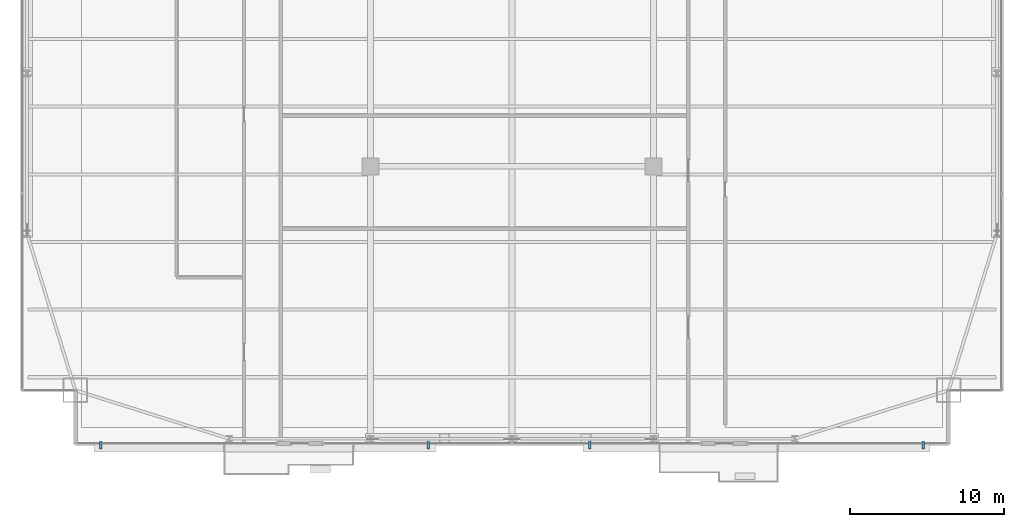
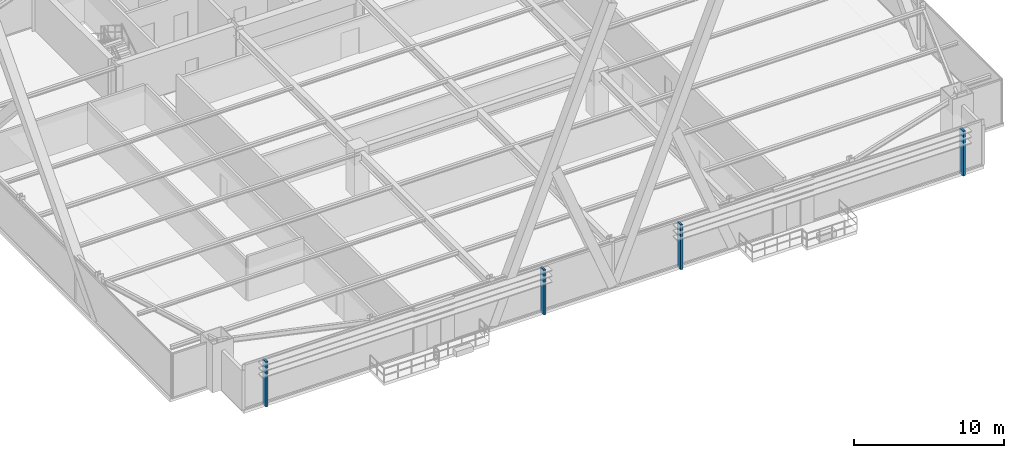
# One storey, part 30 of 32: 4 discrete accessories.
"""IFC4 building model written with IfcOpenShell, lengths in metres."""

from ifc_helpers import new_model, si_unit, direction, frame, origin, origin_2d, place, context, subcontext, project, spatial, rectangle, extrude, source, transform, mapped, material, layer, layer_set, type_object, type_shapes, element, save


model = new_model("IFC4")

# Units and contexts
model_context = context("Model", 3, precision=1e-05, world=origin(), true_north=direction((0.0, 1.0)))
body_context = subcontext(model_context, "Body", "Model", "MODEL_VIEW")
ifc_project = project(units=[si_unit("LENGTHUNIT", "METRE"), si_unit("AREAUNIT", "SQUARE_METRE"), si_unit("VOLUMEUNIT", "CUBIC_METRE"), si_unit("PLANEANGLEUNIT", "RADIAN"), si_unit("MASSUNIT", "GRAM", prefix="KILO")], contexts=[model_context])

# Site, building, storey
site_placement = place(None, origin())
site = spatial("IfcSite", under=ifc_project, at=site_placement, CompositionType="ELEMENT")
building_placement = place(site_placement, origin())
building = spatial("IfcBuilding", under=site, at=building_placement, Name="Varnel Quay Broadcast Tower", CompositionType="ELEMENT")
storey_placement = place(building_placement, frame((0.0, 0.0, 58.800048828125)))
storey = spatial("IfcBuildingStorey", under=building, at=storey_placement, Name="L13", CompositionType="ELEMENT", Elevation=58.800048828125)

# Discrete accessories
ifc_material = material(Name="Anodised Bronze Aluminium 6063-T6", Category="aluminium")
ifc_layer = layer(ifc_material, 0.47998046875, Name="Anodised Bronze Aluminium 6063-T6")
ifc_layer_set = layer_set([ifc_layer], Name="Anodised Bronze Aluminium 6063-T6")
discrete_accessory_type = type_object("IfcDiscreteAccessoryType", Name="Acc_FacadeBracket", PredefinedType="BRACKET", material=ifc_layer_set)
shared_shape = source(origin(), body_context, "Body", "SweptSolid", [
    extrude(rectangle(XDim=0.159912109375, YDim=0.47998046875, at=origin_2d()), origin(), (0.0, 0.0, 1.0), 3.64990234375),
])
type_shapes(discrete_accessory_type, [shared_shape])
for number, where, z_axis, x_axis, name in (
    (1, (7.25, 1.219970703125, -0.14990234375), (0.0, 0.0, 1.0), (1.0, 0.0, 0.0), "L13 Lobe 1 Louvre Support Bracket 1"),
    (2, (28.56298828125, 1.219970703125, -0.14990234375), (0.0, 0.0, 1.0), (1.0, 0.0, 0.0), "L13 Lobe 1 Louvre Support Bracket 2"),
    (3, (39.06298828125, 1.219970703125, -0.14990234375), (0.0, 0.0, 1.0), (1.0, 0.0, 0.0), "L13 Lobe 2 Louvre Support Bracket 1"),
    (4, (60.75, 1.219970703125, -0.14990234375), (0.0, 0.0, 1.0), (1.0, 0.0, 0.0), "L13 Lobe 2 Louvre Support Bracket 2"),
):
    element("IfcDiscreteAccessory", number, at=place(storey_placement, frame(where, z_axis=z_axis, x_axis=x_axis)), inside=storey, type_object=discrete_accessory_type, Name=name, PredefinedType="BRACKET", context=body_context, shape_type="MappedRepresentation", body=[
        mapped(shared_shape, transform((0.0, 0.0, 0.0), x_axis=(1.0, 0.0, 0.0), y_axis=(0.0, 1.0, 0.0), z_axis=(0.0, 0.0, 1.0), scale=1.0)),
    ])

save(model, "model.ifc")
